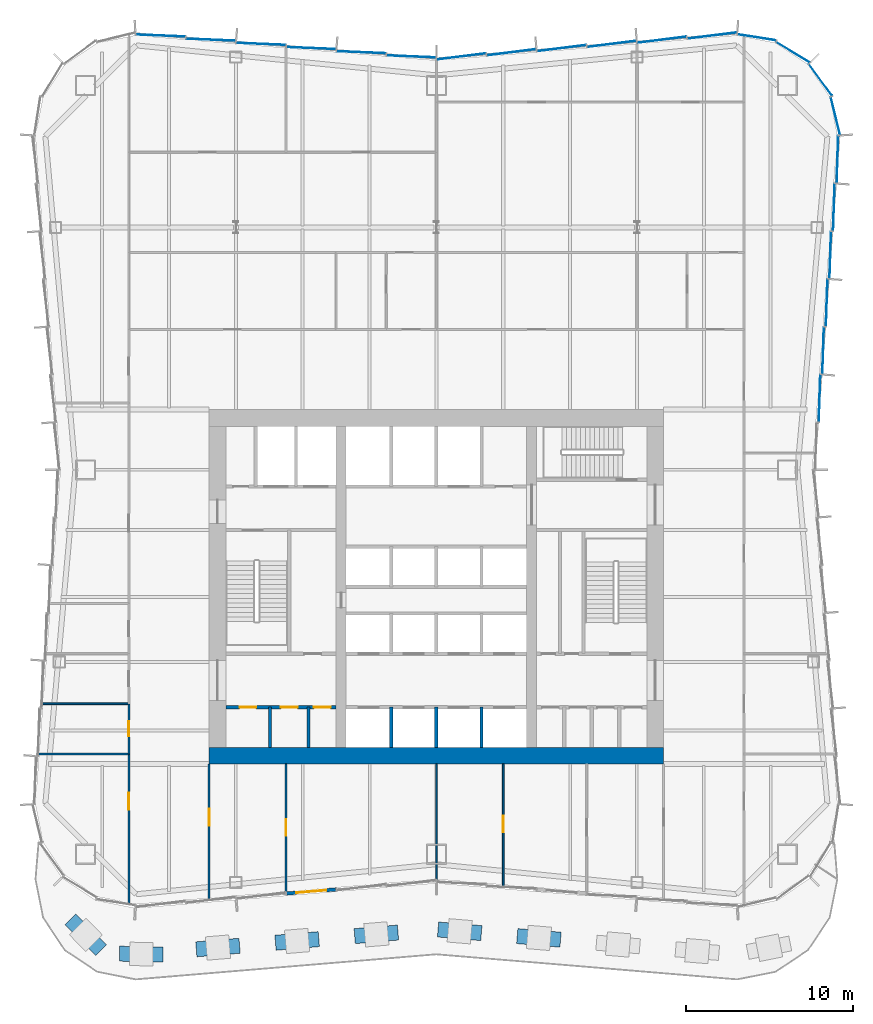
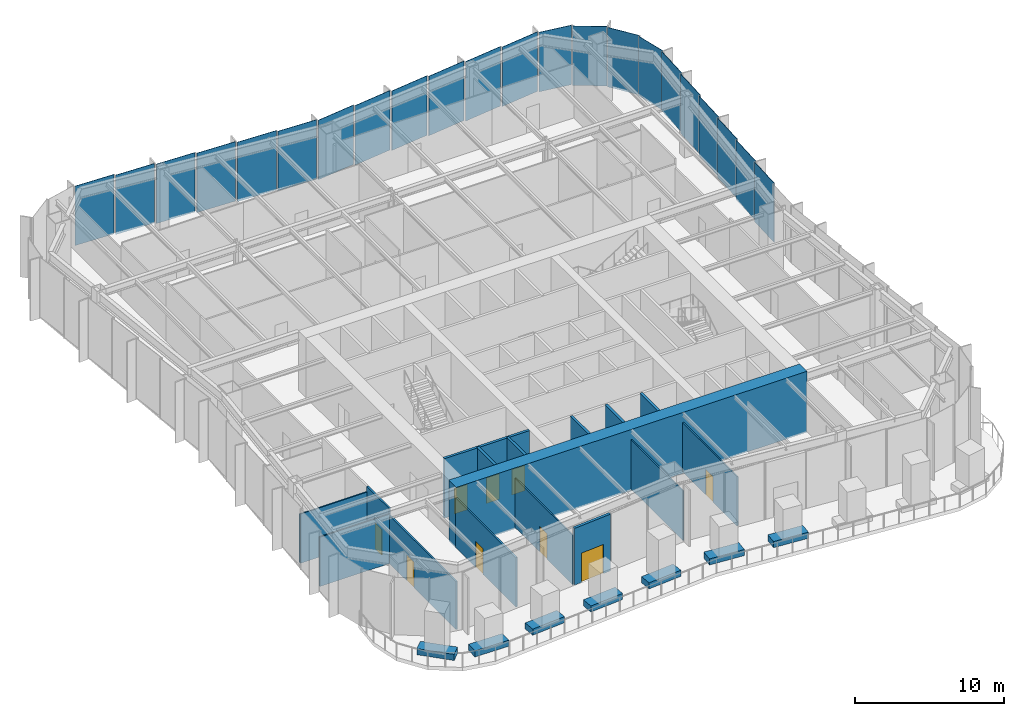
# One storey, part 8 of 15: 23 walls, 22 plates, 9 doors, 9 openings, 3 elements without a shape of their own.
"""IFC4 building model written with IfcOpenShell, lengths in metres."""

from ifc_helpers import new_model, si_unit, direction, frame, frame_2d, origin, origin_2d, place, context, subcontext, project, spatial, rectangle, extrude, material, layer, layer_set, type_object, element, fill, aggregate, save


model = new_model("IFC4")

# Units and contexts
model_context = context("Model", 3, precision=1e-05, world=origin(), true_north=direction((0.0, 1.0)))
body_context = subcontext(model_context, "Body", "Model", "MODEL_VIEW")
ifc_project = project(units=[si_unit("LENGTHUNIT", "METRE"), si_unit("AREAUNIT", "SQUARE_METRE"), si_unit("VOLUMEUNIT", "CUBIC_METRE"), si_unit("PLANEANGLEUNIT", "RADIAN"), si_unit("MASSUNIT", "GRAM", prefix="KILO")], contexts=[model_context])

# Site, building, storey
site_placement = place(None, origin())
site = spatial("IfcSite", under=ifc_project, at=site_placement, CompositionType="ELEMENT")
building_placement = place(site_placement, origin())
building = spatial("IfcBuilding", under=site, at=building_placement, Name="Verdant Reach Tower", CompositionType="ELEMENT")
storey_placement = place(building_placement, frame((0.0, 0.0, 121.0)))
storey = spatial("IfcBuildingStorey", under=building, at=storey_placement, Name="L27", CompositionType="ELEMENT", Elevation=121.0)

# Curtain wall, plates
ifc_material_1 = material(Name="Anodised aluminium", Category="aluminium")
curtain_wall_type = type_object("IfcCurtainWallType", Name="EN-CW SYSTEM Z2", PredefinedType="NOTDEFINED", material=ifc_material_1)
curtain_wall_1_placement = place(storey_placement, origin())
curtain_wall_1 = element("IfcCurtainWall", 1, at=curtain_wall_1_placement, inside=storey, type_object=curtain_wall_type, Name="Curtain wall east, L27", PredefinedType="NOTDEFINED")
ifc_material_2 = material(Name="Tinted glass with champagne spandrel", Category="glass")
ifc_layer_1 = layer(ifc_material_2, 0.031982421875)
ifc_layer_set_1 = layer_set([ifc_layer_1], Name="EN-PANEL CHAMPAGNE")
plate_type_1 = type_object("IfcPlateType", Name="EN-PANEL CHAMPAGNE", PredefinedType="CURTAIN_PANEL", material=ifc_layer_set_1)
plate_1_placement = place(storey_placement, frame((23.355712890625, 44.9921875, -0.22607421875), z_axis=(0.0, 0.0, 1.0), x_axis=(0.032965971753, 0.999456474643, 0.0)))
plate_1 = element("IfcPlate", 2, at=plate_1_placement, type_object=plate_type_1, Name="Glass panel east face part 2 4.1, L27", PredefinedType="CURTAIN_PANEL", context=body_context, shape_type="SweptSolid", body=[
    extrude(rectangle(XDim=2.80517578125, YDim=0.031982421875, at=origin_2d()), origin(), (0.0, 0.0, 1.0), 4.8759765625),
])
plate_2_placement = place(storey_placement, frame((23.570068359375, 47.84912109375, -0.22607421875), z_axis=(0.0, 0.0, 1.0), x_axis=(0.032965971753, 0.999456474643, 0.0)))
plate_2 = element("IfcPlate", 3, at=plate_2_placement, type_object=plate_type_1, Name="Glass panel east face part 2 5.1, L27", PredefinedType="CURTAIN_PANEL", context=body_context, shape_type="SweptSolid", body=[
    extrude(rectangle(XDim=2.80517578125, YDim=0.031982421875, at=origin_2d()), origin(), (0.0, 0.0, 1.0), 4.8759765625),
])
plate_3_placement = place(storey_placement, frame((23.7841796875, 50.706298828125, -0.22607421875), z_axis=(0.0, 0.0, 1.0), x_axis=(0.032965971753, 0.999456474643, 0.0)))
plate_3 = element("IfcPlate", 4, at=plate_3_placement, type_object=plate_type_1, Name="Glass panel east face part 2 6.1, L27", PredefinedType="CURTAIN_PANEL", context=body_context, shape_type="SweptSolid", body=[
    extrude(rectangle(XDim=2.80517578125, YDim=0.031982421875, at=origin_2d()), origin(), (0.0, 0.0, 1.0), 4.8759765625),
])

curtain_wall_2_placement = place(storey_placement, origin())
curtain_wall_2 = element("IfcCurtainWall", 5, at=curtain_wall_2_placement, inside=storey, type_object=curtain_wall_type, Name="Curtain wall north-east corner, L27", PredefinedType="NOTDEFINED")
plate_4_placement = place(storey_placement, frame((21.3271484375, 59.9794921875, -0.22607421875), z_axis=(0.0, 0.0, 1.0), x_axis=(-0.853988694998, 0.520291561353, 0.0)))
plate_4 = element("IfcPlate", 6, at=plate_4_placement, type_object=plate_type_1, Name="Glass panel north-east corner 3.1, L27", PredefinedType="CURTAIN_PANEL", context=body_context, shape_type="SweptSolid", body=[
    extrude(rectangle(XDim=2.322509765625, YDim=0.031982421875, at=origin_2d()), origin(), (0.0, 0.0, 1.0), 4.8759765625),
])
plate_5_placement = place(storey_placement, frame((19.17138671875, 60.87353515625, -0.22607421875), z_axis=(0.0, 0.0, 1.0), x_axis=(-0.988030887576, 0.154256167447, 0.0)))
plate_5 = element("IfcPlate", 7, at=plate_5_placement, type_object=plate_type_1, Name="Glass panel north-east corner 4.1, L27", PredefinedType="CURTAIN_PANEL", context=body_context, shape_type="SweptSolid", body=[
    extrude(rectangle(XDim=2.31640625, YDim=0.031982421875, at=origin_2d()), origin(), (0.0, 0.0, 1.0), 4.8759765625),
])

curtain_wall_3_placement = place(storey_placement, origin())
curtain_wall_3 = element("IfcCurtainWall", 8, at=curtain_wall_3_placement, inside=storey, type_object=curtain_wall_type, Name="Curtain wall north, L27", PredefinedType="NOTDEFINED")
plate_6_placement = place(storey_placement, frame((16.49853515625, 60.980712890625, -0.22607421875), z_axis=(0.0, 0.0, 1.0), x_axis=(-0.992236570309, -0.124364739946, 0.0)))
plate_6 = element("IfcPlate", 9, at=plate_6_placement, type_object=plate_type_1, Name="Glass panel north face part 1 1.1, L27", PredefinedType="CURTAIN_PANEL", context=body_context, shape_type="SweptSolid", body=[
    extrude(rectangle(XDim=2.965087890625, YDim=0.031982421875, at=origin_2d()), origin(), (0.0, 0.0, 1.0), 4.8759765625),
])
plate_7_placement = place(storey_placement, frame((13.4912109375, 60.730712890625, -0.22607421875), z_axis=(0.0, 0.0, 1.0), x_axis=(-0.992194034542, -0.124703639961, 0.0)))
plate_7 = element("IfcPlate", 10, at=plate_7_placement, type_object=plate_type_1, Name="Glass panel north face part 1 2.1, L27", PredefinedType="CURTAIN_PANEL", context=body_context, shape_type="SweptSolid", body=[
    extrude(rectangle(XDim=2.950439453125, YDim=0.031982421875, at=origin_2d()), origin(), (0.0, 0.0, 1.0), 4.8759765625),
])
plate_8_placement = place(storey_placement, frame((10.4912109375, 60.480712890625, -0.22607421875), z_axis=(0.0, 0.0, 1.0), x_axis=(-0.992194034542, -0.124703639961, 0.0)))
plate_8 = element("IfcPlate", 11, at=plate_8_placement, type_object=plate_type_1, Name="Glass panel north face part 1 3.1, L27", PredefinedType="CURTAIN_PANEL", context=body_context, shape_type="SweptSolid", body=[
    extrude(rectangle(XDim=2.950439453125, YDim=0.031982421875, at=origin_2d()), origin(), (0.0, 0.0, 1.0), 4.8759765625),
])
plate_9_placement = place(storey_placement, frame((-7.4912109375, 60.230712890625, -0.22607421875), z_axis=(0.0, 0.0, 1.0), x_axis=(-0.999149202059, 0.041241629766, 0.0)))
plate_9 = element("IfcPlate", 12, at=plate_9_placement, type_object=plate_type_1, Name="Glass panel north face part 2 3.1, L27", PredefinedType="CURTAIN_PANEL", context=body_context, shape_type="SweptSolid", body=[
    extrude(rectangle(XDim=2.950439453125, YDim=0.031982421875, at=origin_2d()), origin(), (0.0, 0.0, 1.0), 4.8759765625),
])
plate_10_placement = place(storey_placement, frame((-10.4912109375, 60.480712890625, -0.22607421875), z_axis=(0.0, 0.0, 1.0), x_axis=(-0.999149202059, 0.041241629766, 0.0)))
plate_10 = element("IfcPlate", 13, at=plate_10_placement, type_object=plate_type_1, Name="Glass panel north face part 2 4.1, L27", PredefinedType="CURTAIN_PANEL", context=body_context, shape_type="SweptSolid", body=[
    extrude(rectangle(XDim=2.950439453125, YDim=0.031982421875, at=origin_2d()), origin(), (0.0, 0.0, 1.0), 4.8759765625),
])

# Plate
ifc_material_3 = material(Name="Tinted glass with copper spandrel", Category="glass")
ifc_layer_2 = layer(ifc_material_3, 0.031982421875)
ifc_layer_set_2 = layer_set([ifc_layer_2], Name="EN-PANEL COPPER")
plate_type_2 = type_object("IfcPlateType", Name="EN-PANEL COPPER", PredefinedType="CURTAIN_PANEL", material=ifc_layer_set_2)
plate_11_placement = place(storey_placement, frame((23.99853515625, 53.57080078125, -0.22607421875), z_axis=(0.0, 0.0, 1.0), x_axis=(0.032628234484, 0.99946755741, 0.0)))
plate_11 = element("IfcPlate", 14, at=plate_11_placement, type_object=plate_type_2, Name="Glass panel east face part 2 7.1, L27", PredefinedType="CURTAIN_PANEL", context=body_context, shape_type="SweptSolid", body=[
    extrude(rectangle(XDim=2.819580078125, YDim=0.031982421875, at=origin_2d()), origin(), (0.0, 0.0, 1.0), 4.8759765625),
])

plate_12_placement = place(storey_placement, frame((7.4912109375, 60.230712890625, -0.22607421875), z_axis=(0.0, 0.0, 1.0), x_axis=(-0.992194034542, -0.124703639961, 0.0)))
plate_12 = element("IfcPlate", 15, at=plate_12_placement, type_object=plate_type_2, Name="Glass panel north face part 1 4.1, L27", PredefinedType="CURTAIN_PANEL", context=body_context, shape_type="SweptSolid", body=[
    extrude(rectangle(XDim=2.950439453125, YDim=0.031982421875, at=origin_2d()), origin(), (0.0, 0.0, 1.0), 4.8759765625),
])

plate_13_placement = place(storey_placement, frame((4.4912109375, 59.980712890625, -0.22607421875), z_axis=(0.0, 0.0, 1.0), x_axis=(-0.992194034542, -0.124703639961, 0.0)))
plate_13 = element("IfcPlate", 16, at=plate_13_placement, type_object=plate_type_2, Name="Glass panel north face part 1 5.1, L27", PredefinedType="CURTAIN_PANEL", context=body_context, shape_type="SweptSolid", body=[
    extrude(rectangle(XDim=2.950439453125, YDim=0.031982421875, at=origin_2d()), origin(), (0.0, 0.0, 1.0), 4.8759765625),
])

plate_14_placement = place(storey_placement, frame((-13.4912109375, 60.730712890625, -0.22607421875), z_axis=(0.0, 0.0, 1.0), x_axis=(-0.999149202059, 0.041241629766, 0.0)))
plate_14 = element("IfcPlate", 17, at=plate_14_placement, type_object=plate_type_2, Name="Glass panel north face part 2 5.1, L27", PredefinedType="CURTAIN_PANEL", context=body_context, shape_type="SweptSolid", body=[
    extrude(rectangle(XDim=2.950439453125, YDim=0.031982421875, at=origin_2d()), origin(), (0.0, 0.0, 1.0), 4.8759765625),
])

plate_15_placement = place(storey_placement, frame((-16.49853515625, 60.980712890625, -0.22607421875), z_axis=(0.0, 0.0, 1.0), x_axis=(-0.999163230224, 0.040900359019, 0.0)))
plate_15 = element("IfcPlate", 18, at=plate_15_placement, type_object=plate_type_2, Name="Glass panel north face part 2 6.1, L27", PredefinedType="CURTAIN_PANEL", context=body_context, shape_type="SweptSolid", body=[
    extrude(rectangle(XDim=2.965087890625, YDim=0.031982421875, at=origin_2d()), origin(), (0.0, 0.0, 1.0), 4.8759765625),
])

ifc_material_4 = material(Name="Tinted glass with dark bronze spandrel", Category="glass")
ifc_layer_3 = layer(ifc_material_4, 0.031982421875)
ifc_layer_set_3 = layer_set([ifc_layer_3], Name="EN-PANEL DARK")
plate_type_3 = type_object("IfcPlateType", Name="EN-PANEL DARK", PredefinedType="CURTAIN_PANEL", material=ifc_layer_set_3)
plate_16_placement = place(storey_placement, frame((22.92724609375, 39.27783203125, -0.22607421875), z_axis=(0.0, 0.0, 1.0), x_axis=(0.032965971753, 0.999456474643, 0.0)))
plate_16 = element("IfcPlate", 19, at=plate_16_placement, type_object=plate_type_3, Name="Glass panel east face part 2 2.1, L27", PredefinedType="CURTAIN_PANEL", context=body_context, shape_type="SweptSolid", body=[
    extrude(rectangle(XDim=2.80517578125, YDim=0.031982421875, at=origin_2d()), origin(), (0.0, 0.0, 1.0), 4.8759765625),
])

plate_17_placement = place(storey_placement, frame((23.141357421875, 42.135009765625, -0.22607421875), z_axis=(0.0, 0.0, 1.0), x_axis=(0.032965971753, 0.999456474643, 0.0)))
plate_17 = element("IfcPlate", 20, at=plate_17_placement, type_object=plate_type_3, Name="Glass panel east face part 2 3.1, L27", PredefinedType="CURTAIN_PANEL", context=body_context, shape_type="SweptSolid", body=[
    extrude(rectangle(XDim=2.80517578125, YDim=0.031982421875, at=origin_2d()), origin(), (0.0, 0.0, 1.0), 4.8759765625),
])

aggregate(curtain_wall_1, [plate_16, plate_17, plate_1, plate_2, plate_3, plate_11])

plate_18_placement = place(storey_placement, frame((23.87353515625, 56.171630859375, -0.22607421875), z_axis=(0.0, 0.0, 1.0), x_axis=(-0.236416170006, 0.971651889598, 0.0)))
plate_18 = element("IfcPlate", 21, at=plate_18_placement, type_object=plate_type_3, Name="Glass panel north-east corner 1.1, L27", PredefinedType="CURTAIN_PANEL", context=body_context, shape_type="SweptSolid", body=[
    extrude(rectangle(XDim=2.316162109375, YDim=0.031982421875, at=origin_2d()), origin(), (0.0, 0.0, 1.0), 4.8759765625),
])

plate_19_placement = place(storey_placement, frame((22.9794921875, 58.3271484375, -0.22607421875), z_axis=(0.0, 0.0, 1.0), x_axis=(-0.589926757843, 0.807456760688, 0.0)))
plate_19 = element("IfcPlate", 22, at=plate_19_placement, type_object=plate_type_3, Name="Glass panel north-east corner 2.1, L27", PredefinedType="CURTAIN_PANEL", context=body_context, shape_type="SweptSolid", body=[
    extrude(rectangle(XDim=2.322509765625, YDim=0.031982421875, at=origin_2d()), origin(), (0.0, 0.0, 1.0), 4.8759765625),
])

aggregate(curtain_wall_2, [plate_18, plate_19, plate_4, plate_5])

plate_20_placement = place(storey_placement, frame((1.49560546875, 59.730712890625, -0.22607421875), z_axis=(0.0, 0.0, 1.0), x_axis=(-0.992178815188, -0.12482467181, 0.0)))
plate_20 = element("IfcPlate", 23, at=plate_20_placement, type_object=plate_type_3, Name="Glass panel north face part 1 6.1, L27", PredefinedType="CURTAIN_PANEL", context=body_context, shape_type="SweptSolid", body=[
    extrude(rectangle(XDim=2.941650390625, YDim=0.031982421875, at=origin_2d()), origin(), (0.0, 0.0, 1.0), 4.8759765625),
])

plate_21_placement = place(storey_placement, frame((-1.49560546875, 59.730712890625, -0.22607421875), z_axis=(0.0, 0.0, 1.0), x_axis=(-0.999144163765, 0.041363510662, 0.0)))
plate_21 = element("IfcPlate", 24, at=plate_21_placement, type_object=plate_type_3, Name="Glass panel north face part 2 1.1, L27", PredefinedType="CURTAIN_PANEL", context=body_context, shape_type="SweptSolid", body=[
    extrude(rectangle(XDim=2.941650390625, YDim=0.031982421875, at=origin_2d()), origin(), (0.0, 0.0, 1.0), 4.8759765625),
])

plate_22_placement = place(storey_placement, frame((-4.4912109375, 59.980712890625, -0.22607421875), z_axis=(0.0, 0.0, 1.0), x_axis=(-0.999149202059, 0.041241629766, 0.0)))
plate_22 = element("IfcPlate", 25, at=plate_22_placement, type_object=plate_type_3, Name="Glass panel north face part 2 2.1, L27", PredefinedType="CURTAIN_PANEL", context=body_context, shape_type="SweptSolid", body=[
    extrude(rectangle(XDim=2.950439453125, YDim=0.031982421875, at=origin_2d()), origin(), (0.0, 0.0, 1.0), 4.8759765625),
])

aggregate(curtain_wall_3, [plate_6, plate_7, plate_8, plate_12, plate_13, plate_20, plate_21, plate_22, plate_9, plate_10, plate_14, plate_15])

# Wall, openings, doors
ifc_material_5 = material(Name="Gypsum board on steel studs", Category="steel")
ifc_layer_4 = layer(ifc_material_5, 0.199951171875)
ifc_layer_set_4 = layer_set([ifc_layer_4], Name="CO-WALL-ROOM")
wall_type_1 = type_object("IfcWallType", Name="CO-WALL-ROOM", PredefinedType="PARTITIONING", material=ifc_layer_set_4)
wall_1_placement = place(storey_placement, frame((-12.60009765625, 20.800048828125, 0.0), z_axis=(0.0, 0.0, 1.0), x_axis=(1.0, 0.0, 0.0)))
wall_1 = element("IfcWall", 26, at=wall_1_placement, inside=storey, type_object=wall_type_1, Name="Core partition, L27", PredefinedType="PARTITIONING", context=body_context, shape_type="SweptSolid", body=[
    extrude(rectangle(XDim=6.60009765625, YDim=0.199951171875, at=frame_2d((3.300048828125, 0.0))), origin(), (0.0, 0.0, 1.0), 4.8701171875),
])
opening_1_placement = place(wall_1_placement, frame((0.820068359375, 0.0, 0.0)))
opening_1 = element("IfcOpeningElement", 27, at=opening_1_placement, cuts=wall_1, Name="Opening CD", PredefinedType="OPENING", context=body_context, shape_type="SweptSolid", body=[
    extrude(rectangle(XDim=1.0, YDim=2.10009765625, at=frame_2d((0.5, 1.050048828125))), frame((0.0, 0.10986328125, 0.0), z_axis=(0.0, -1.0, 0.0), x_axis=(1.0, 0.0, 0.0)), (0.0, 0.0, 1.0), 0.219970703125),
])
opening_2_placement = place(wall_1_placement, frame((3.294921875, 0.0, 0.0)))
opening_2 = element("IfcOpeningElement", 28, at=opening_2_placement, cuts=wall_1, Name="Opening CD", PredefinedType="OPENING", context=body_context, shape_type="SweptSolid", body=[
    extrude(rectangle(XDim=1.0, YDim=2.10009765625, at=frame_2d((0.5, 1.050048828125))), frame((0.0, 0.10986328125, 0.0), z_axis=(0.0, -1.0, 0.0), x_axis=(1.0, 0.0, 0.0)), (0.0, 0.0, 1.0), 0.219970703125),
])
opening_3_placement = place(wall_1_placement, frame((5.27490234375, 0.0, 0.0)))
opening_3 = element("IfcOpeningElement", 29, at=opening_3_placement, cuts=wall_1, Name="Opening CD", PredefinedType="OPENING", context=body_context, shape_type="SweptSolid", body=[
    extrude(rectangle(XDim=1.0, YDim=2.10009765625, at=frame_2d((0.5, 1.050048828125))), frame((0.0, 0.10986328125, 0.0), z_axis=(0.0, -1.0, 0.0), x_axis=(1.0, 0.0, 0.0)), (0.0, 0.0, 1.0), 0.219970703125),
])
ifc_material_6 = material(Name="Timber", Category="wood")
door_type_1 = type_object("IfcDoorType", Name="CO-DOOR-ROOM", OperationType="NOTDEFINED", PredefinedType="DOOR", material=ifc_material_6)
door_1_placement = place(opening_1_placement, origin())
door_1 = element("IfcDoor", 30, at=door_1_placement, inside=storey, type_object=door_type_1, Name="Core room door, L27", OperationType="SINGLE_SWING_LEFT", OverallHeight=2.10009765625, OverallWidth=1.0, PredefinedType="DOOR", context=body_context, shape_type="SweptSolid", body=[
    extrude(rectangle(XDim=1.0, YDim=2.10009765625, at=frame_2d((0.5, 1.050048828125))), frame((0.0, 0.02490234375, 0.0), z_axis=(0.0, -1.0, 0.0), x_axis=(1.0, 0.0, 0.0)), (0.0, 0.0, 1.0), 0.050048828125),
])
fill(opening_1, door_1)
door_2_placement = place(opening_2_placement, origin())
door_2 = element("IfcDoor", 31, at=door_2_placement, inside=storey, type_object=door_type_1, Name="Core room door, L27", OperationType="SINGLE_SWING_LEFT", OverallHeight=2.10009765625, OverallWidth=1.0, PredefinedType="DOOR", context=body_context, shape_type="SweptSolid", body=[
    extrude(rectangle(XDim=1.0, YDim=2.10009765625, at=frame_2d((0.5, 1.050048828125))), frame((0.0, 0.02490234375, 0.0), z_axis=(0.0, -1.0, 0.0), x_axis=(1.0, 0.0, 0.0)), (0.0, 0.0, 1.0), 0.050048828125),
])
fill(opening_2, door_2)
door_3_placement = place(opening_3_placement, origin())
door_3 = element("IfcDoor", 32, at=door_3_placement, inside=storey, type_object=door_type_1, Name="Core room door, L27", OperationType="SINGLE_SWING_RIGHT", OverallHeight=2.10009765625, OverallWidth=1.0, PredefinedType="DOOR", context=body_context, shape_type="SweptSolid", body=[
    extrude(rectangle(XDim=1.0, YDim=2.10009765625, at=frame_2d((0.5, 1.050048828125))), frame((0.0, 0.02490234375, 0.0), z_axis=(0.0, -1.0, 0.0), x_axis=(1.0, 0.0, 0.0)), (0.0, 0.0, 1.0), 0.050048828125),
])
fill(opening_3, door_3)

# Walls
for number, where, z_axis, x_axis, name in (
    (33, (-9.9599609375, 18.39990234375, 0.0), (0.0, 0.0, 1.0), (0.0, 1.0, 0.0), "Core partition, L27"),
    (34, (-7.64990234375, 18.39990234375, 0.0), (0.0, 0.0, 1.0), (0.0, 1.0, 0.0), "Core partition, L27"),
):
    element("IfcWall", number, at=place(storey_placement, frame(where, z_axis=z_axis, x_axis=x_axis)), inside=storey, type_object=wall_type_1, Name=name, PredefinedType="PARTITIONING", context=body_context, shape_type="SweptSolid", body=[
        extrude(rectangle(XDim=2.400146484375, YDim=0.199951171875, at=frame_2d((1.2001953125, 0.0))), origin(), (0.0, 0.0, 1.0), 4.8701171875),
    ])
ifc_material_7 = material(Name="Concrete C40/50", Category="concrete")
ifc_layer_5 = layer(ifc_material_7, 0.199951171875)
ifc_layer_set_5 = layer_set([ifc_layer_5], Name="CO-WALL-SHAFT")
wall_type_2 = type_object("IfcWallType", Name="CO-WALL-SHAFT", PredefinedType="PARTITIONING", material=ifc_layer_set_5)
for number, where, z_axis, x_axis, name in (
    (35, (-2.699951171875, 18.39990234375, 0.0), (0.0, 0.0, 1.0), (0.0, 1.0, 0.0), "Lift shaft wall, L27"),
    (36, (0.0, 18.39990234375, 0.0), (0.0, 0.0, 1.0), (0.0, 1.0, 0.0), "Lift shaft wall, L27"),
    (37, (2.699951171875, 18.39990234375, 0.0), (0.0, 0.0, 1.0), (0.0, 1.0, 0.0), "Lift shaft wall, L27"),
):
    element("IfcWall", number, at=place(storey_placement, frame(where, z_axis=z_axis, x_axis=x_axis)), inside=storey, type_object=wall_type_2, Name=name, PredefinedType="PARTITIONING", context=body_context, shape_type="SweptSolid", body=[
        extrude(rectangle(XDim=2.400146484375, YDim=0.199951171875, at=frame_2d((1.2001953125, 0.0))), origin(), (0.0, 0.0, 1.0), 4.8701171875),
    ])

# Wall, opening, door
ifc_material_8 = material(Name="Insulated bronze aluminium panel wall", Category="aluminium")
ifc_layer_6 = layer(ifc_material_8, 0.219970703125)
ifc_layer_set_6 = layer_set([ifc_layer_6], Name="EN-INFILL WALL")
wall_type_3 = type_object("IfcWallType", Name="EN-INFILL WALL", PredefinedType="SOLIDWALL", material=ifc_layer_set_6)
wall_2_placement = place(storey_placement, frame((-8.959228515625, 9.64697265625, 0.0), z_axis=(0.0, 0.0, 1.0), x_axis=(0.99654690113, 0.083031764089, 0.0)))
wall_2 = element("IfcWall", 38, at=wall_2_placement, inside=storey, type_object=wall_type_3, Name="External infill wall, terrace bay 1, L27", PredefinedType="SOLIDWALL", context=body_context, shape_type="SweptSolid", body=[
    extrude(rectangle(XDim=2.9462890625, YDim=0.2119140625, at=frame_2d((1.47314453125, 0.0))), origin(), (0.0, 0.0, 1.0), 4.64990234375),
])
opening_4_placement = place(wall_2_placement, frame((0.5732421875, 0.0, 0.0)))
opening_4 = element("IfcOpeningElement", 39, at=opening_4_placement, cuts=wall_2, Name="Opening TD1-DR", PredefinedType="OPENING", context=body_context, shape_type="SweptSolid", body=[
    extrude(rectangle(XDim=1.800048828125, YDim=2.39990234375, at=frame_2d((0.89990234375, 1.199951171875))), frame((0.0, 0.115966796875, 0.0), z_axis=(0.0, -1.0, 0.0), x_axis=(1.0, 0.0, 0.0)), (0.0, 0.0, 1.0), 0.23193359375),
])
ifc_material_9 = material(Name="Aluminium framed glazed door", Category="aluminium")
door_type_2 = type_object("IfcDoorType", Name="EN-DOOR TERRACE", OperationType="DOUBLE_DOOR_SINGLE_SWING", PredefinedType="DOOR", material=ifc_material_9)
door_4_placement = place(opening_4_placement, origin())
door_4 = element("IfcDoor", 40, at=door_4_placement, inside=storey, type_object=door_type_2, Name="Terrace door 1, L27", OperationType="DOUBLE_DOOR_SINGLE_SWING", OverallHeight=2.39990234375, OverallWidth=1.800048828125, PredefinedType="DOOR", context=body_context, shape_type="SweptSolid", body=[
    extrude(rectangle(XDim=1.800048828125, YDim=2.39990234375, at=frame_2d((0.89990234375, 1.199951171875))), frame((0.0, 0.02490234375, 0.0), z_axis=(0.0, -1.0, 0.0), x_axis=(1.0, 0.0, 0.0)), (0.0, 0.0, 1.0), 0.050048828125),
])
fill(opening_4, door_4)

# Walls
ifc_material_10 = material(Name="Precast concrete C30/37", Category="concrete")
ifc_layer_7 = layer(ifc_material_10, 0.89990234375)
ifc_layer_set_7 = layer_set([ifc_layer_7], Name="EN-PLANTER TERRACE")
wall_type_4 = type_object("IfcWallType", Name="EN-PLANTER TERRACE", PredefinedType="USERDEFINED", material=ifc_layer_set_7)
wall_3_placement = place(storey_placement, frame((7.428955078125, 6.88623046875, 0.0), z_axis=(0.0, 0.0, 1.0), x_axis=(-0.996548348317, 0.083014393132, 0.0)))
element("IfcWall", 41, at=wall_3_placement, inside=storey, type_object=wall_type_4, Name="Terrace planter 4, L27", ObjectType="PLANTER", PredefinedType="USERDEFINED", context=body_context, shape_type="SweptSolid", body=[
    extrude(rectangle(XDim=2.599853515625, YDim=0.89990234375, at=frame_2d((1.2998046875, 0.0))), origin(), (0.0, 0.0, 1.0), 0.5),
])
for number, where, z_axis, x_axis, name in (
    (42, (2.690673828125, 7.281005859375, 0.0), (0.0, 0.0, 1.0), (-0.99654899538, 0.083006625075, 0.0), "Terrace planter 5, L27"),
    (43, (-2.296875, 7.313720703125, 0.0), (0.0, 0.0, 1.0), (-0.99654899538, -0.083006625075, 0.0), "Terrace planter 6, L27"),
    (44, (-7.035400390625, 6.9189453125, 0.0), (0.0, 0.0, 1.0), (-0.996541223745, -0.083099875908, 0.0), "Terrace planter 7, L27"),
    (45, (-11.77392578125, 6.52392578125, 0.0), (0.0, 0.0, 1.0), (-0.99654899538, -0.083006625075, 0.0), "Terrace planter 8, L27"),
    (46, (-16.355712890625, 6.002197265625, 0.0), (0.0, 0.0, 1.0), (-0.999830630301, 0.018404094998, 0.0), "Terrace planter 9, L27"),
    (47, (-20.058349609375, 6.2548828125, 0.0), (0.0, 0.0, 1.0), (-0.704331354941, 0.709871356266, 0.0), "Terrace planter 10, L27"),
):
    element("IfcWall", number, at=place(storey_placement, frame(where, z_axis=z_axis, x_axis=x_axis)), inside=storey, type_object=wall_type_4, Name=name, ObjectType="PLANTER", PredefinedType="USERDEFINED", context=body_context, shape_type="SweptSolid", body=[
        extrude(rectangle(XDim=2.60009765625, YDim=0.89990234375, at=frame_2d((1.300048828125, 0.0))), origin(), (0.0, 0.0, 1.0), 0.5),
    ])
ifc_layer_8 = layer(ifc_material_5, 0.10009765625)
ifc_layer_set_8 = layer_set([ifc_layer_8], Name="FL-W1 Partition 100")
wall_type_5 = type_object("IfcWallType", Name="FL-W1 Partition 100", PredefinedType="PARTITIONING", material=ifc_layer_set_8)
wall_4_placement = place(storey_placement, frame((-18.39990234375, 18.0, 0.0), z_axis=(0.0, 0.0, 1.0), x_axis=(-1.0, 0.0, 0.0)))
element("IfcWall", 48, at=wall_4_placement, inside=storey, type_object=wall_type_5, Name="Partition 27.19", PredefinedType="PARTITIONING", context=body_context, shape_type="SweptSolid", body=[
    extrude(rectangle(XDim=5.455078125, YDim=0.10009765625, at=frame_2d((2.7275390625, 0.0))), origin(), (0.0, 0.0, 1.0), 4.0400390625),
])
wall_5_placement = place(storey_placement, frame((-18.39990234375, 21.0, 0.0), z_axis=(0.0, 0.0, 1.0), x_axis=(-1.0, 0.0, 0.0)))
element("IfcWall", 49, at=wall_5_placement, inside=storey, type_object=wall_type_5, Name="Partition 27.20", PredefinedType="PARTITIONING", context=body_context, shape_type="SweptSolid", body=[
    extrude(rectangle(XDim=5.22998046875, YDim=0.10009765625, at=frame_2d((2.614990234375, 0.0))), origin(), (0.0, 0.0, 1.0), 4.0400390625),
])

# Wall, opening, door
wall_6_placement = place(storey_placement, frame((-9.0, 17.39990234375, 0.0), z_axis=(0.0, 0.0, 1.0), x_axis=(0.0, -1.0, 0.0)))
wall_6 = element("IfcWall", 50, at=wall_6_placement, inside=storey, type_object=wall_type_5, Name="Partition 27.33", PredefinedType="PARTITIONING", context=body_context, shape_type="SweptSolid", body=[
    extrude(rectangle(XDim=7.72998046875, YDim=0.10009765625, at=frame_2d((3.864990234375, 0.0))), origin(), (0.0, 0.0, 1.0), 4.0400390625),
])
opening_5_placement = place(wall_6_placement, frame((3.2998046875, 0.0, 0.0)))
opening_5 = element("IfcOpeningElement", 51, at=opening_5_placement, cuts=wall_6, Name="Opening D3", PredefinedType="OPENING", context=body_context, shape_type="SweptSolid", body=[
    extrude(rectangle(XDim=1.0, YDim=2.10009765625, at=frame_2d((0.5, 1.050048828125))), frame((0.0, 0.06005859375, 0.0), z_axis=(0.0, -1.0, 0.0), x_axis=(1.0, 0.0, 0.0)), (0.0, 0.0, 1.0), 0.1201171875),
])
ifc_material_11 = material(Name="Painted timber door leaf", Category="wood")
door_type_3 = type_object("IfcDoorType", Name="FL-D3 Door 1000x2100", OperationType="NOTDEFINED", PredefinedType="DOOR", material=ifc_material_11)
door_5_placement = place(opening_5_placement, origin())
door_5 = element("IfcDoor", 52, at=door_5_placement, inside=storey, type_object=door_type_3, Name="Door 27-017", OperationType="SINGLE_SWING_LEFT", OverallHeight=2.10009765625, OverallWidth=1.0, PredefinedType="DOOR", context=body_context, shape_type="SweptSolid", body=[
    extrude(rectangle(XDim=1.0, YDim=2.10009765625, at=frame_2d((0.5, 1.050048828125))), frame((0.0, 0.02490234375, 0.0), z_axis=(0.0, -1.0, 0.0), x_axis=(1.0, 0.0, 0.0)), (0.0, 0.0, 1.0), 0.050048828125),
])
fill(opening_5, door_5)

# Wall
wall_7_placement = place(storey_placement, frame((0.0, 10.419921875, 0.0), z_axis=(0.0, 0.0, 1.0), x_axis=(0.0, 1.0, 0.0)))
element("IfcWall", 53, at=wall_7_placement, inside=storey, type_object=wall_type_5, Name="Partition 27.34", PredefinedType="PARTITIONING", context=body_context, shape_type="SweptSolid", body=[
    extrude(rectangle(XDim=6.97998046875, YDim=0.10009765625, at=frame_2d((3.489990234375, 0.0))), origin(), (0.0, 0.0, 1.0), 4.0400390625),
])

# Wall, opening, door
wall_8_placement = place(storey_placement, frame((4.0, 10.086669921875, 0.0), z_axis=(0.0, 0.0, 1.0), x_axis=(0.0, 1.0, 0.0)))
wall_8 = element("IfcWall", 54, at=wall_8_placement, inside=storey, type_object=wall_type_5, Name="Partition 27.36", PredefinedType="PARTITIONING", context=body_context, shape_type="SweptSolid", body=[
    extrude(rectangle(XDim=7.313232421875, YDim=0.10009765625, at=frame_2d((3.65673828125, 0.0))), origin(), (0.0, 0.0, 1.0), 4.0400390625),
])
opening_6_placement = place(wall_8_placement, frame((3.2216796875, 0.0, 0.0)))
opening_6 = element("IfcOpeningElement", 55, at=opening_6_placement, cuts=wall_8, Name="Opening D3", PredefinedType="OPENING", context=body_context, shape_type="SweptSolid", body=[
    extrude(rectangle(XDim=1.0, YDim=2.10009765625, at=frame_2d((0.5, 1.050048828125))), frame((0.0, 0.06005859375, 0.0), z_axis=(0.0, -1.0, 0.0), x_axis=(1.0, 0.0, 0.0)), (0.0, 0.0, 1.0), 0.1201171875),
])
door_6_placement = place(opening_6_placement, origin())
door_6 = element("IfcDoor", 56, at=door_6_placement, inside=storey, type_object=door_type_3, Name="Door 27-019", OperationType="SINGLE_SWING_RIGHT", OverallHeight=2.10009765625, OverallWidth=1.0, PredefinedType="DOOR", context=body_context, shape_type="SweptSolid", body=[
    extrude(rectangle(XDim=1.0, YDim=2.10009765625, at=frame_2d((0.5, 1.050048828125))), frame((0.0, 0.02490234375, 0.0), z_axis=(0.0, -1.0, 0.0), x_axis=(1.0, 0.0, 0.0)), (0.0, 0.0, 1.0), 0.050048828125),
])
fill(opening_6, door_6)

ifc_material_12 = material(Name="Gypsum board on steel studs, fire rated", Category="steel")
ifc_layer_9 = layer(ifc_material_12, 0.125)
ifc_layer_set_9 = layer_set([ifc_layer_9], Name="FL-W2 Corridor wall 125")
wall_type_6 = type_object("IfcWallType", Name="FL-W2 Corridor wall 125", PredefinedType="PARTITIONING", material=ifc_layer_set_9)
wall_9_placement = place(storey_placement, frame((-18.39990234375, 8.99951171875, 0.0), z_axis=(0.0, 0.0, 1.0), x_axis=(0.0, 1.0, 0.0)))
wall_9 = element("IfcWall", 57, at=wall_9_placement, inside=storey, type_object=wall_type_6, Name="Partition 27.01", PredefinedType="PARTITIONING", context=body_context, shape_type="SweptSolid", body=[
    extrude(rectangle(XDim=9.00048828125, YDim=0.125, at=frame_2d((4.500244140625, 0.0))), origin(), (0.0, 0.0, 1.0), 3.929931640625),
])
opening_7_placement = place(wall_9_placement, frame((5.665771484375, 0.0, 0.0)))
opening_7 = element("IfcOpeningElement", 58, at=opening_7_placement, cuts=wall_9, Name="Opening D2", PredefinedType="OPENING", context=body_context, shape_type="SweptSolid", body=[
    extrude(rectangle(XDim=1.0, YDim=2.10009765625, at=frame_2d((0.5, 1.050048828125))), frame((0.0, 0.072509765625, 0.0), z_axis=(0.0, -1.0, 0.0), x_axis=(1.0, 0.0, 0.0)), (0.0, 0.0, 1.0), 0.14501953125),
])
ifc_material_13 = material(Name="Timber door leaf, fire rated", Category="wood")
door_type_4 = type_object("IfcDoorType", Name="FL-D2 Entrance door 1000x2100 FD30", OperationType="NOTDEFINED", PredefinedType="DOOR", material=ifc_material_13)
door_7_placement = place(opening_7_placement, origin())
door_7 = element("IfcDoor", 59, at=door_7_placement, inside=storey, type_object=door_type_4, Name="Door 27-001", OperationType="SINGLE_SWING_RIGHT", OverallHeight=2.10009765625, OverallWidth=1.0, PredefinedType="DOOR", context=body_context, shape_type="SweptSolid", body=[
    extrude(rectangle(XDim=1.0, YDim=2.10009765625, at=frame_2d((0.5, 1.050048828125))), frame((0.0, 0.02490234375, 0.0), z_axis=(0.0, -1.0, 0.0), x_axis=(1.0, 0.0, 0.0)), (0.0, 0.0, 1.0), 0.050048828125),
])
fill(opening_7, door_7)

wall_10_placement = place(storey_placement, frame((-18.39990234375, 18.0, 0.0), z_axis=(0.0, 0.0, 1.0), x_axis=(0.0, 1.0, 0.0)))
wall_10 = element("IfcWall", 60, at=wall_10_placement, inside=storey, type_object=wall_type_6, Name="Partition 27.02", PredefinedType="PARTITIONING", context=body_context, shape_type="SweptSolid", body=[
    extrude(rectangle(XDim=3.0, YDim=0.125, at=frame_2d((1.5, 0.0))), origin(), (0.0, 0.0, 1.0), 4.47998046875),
])
opening_8_placement = place(wall_10_placement, frame((1.050048828125, 0.0, 0.0)))
opening_8 = element("IfcOpeningElement", 61, at=opening_8_placement, cuts=wall_10, Name="Opening D1", PredefinedType="OPENING", context=body_context, shape_type="SweptSolid", body=[
    extrude(rectangle(XDim=0.89990234375, YDim=2.10009765625, at=frame_2d((0.449951171875, 1.050048828125))), frame((0.0, 0.072509765625, 0.0), z_axis=(0.0, -1.0, 0.0), x_axis=(1.0, 0.0, 0.0)), (0.0, 0.0, 1.0), 0.14501953125),
])
door_type_5 = type_object("IfcDoorType", Name="FL-D1 Door 900x2100", OperationType="NOTDEFINED", PredefinedType="DOOR", material=ifc_material_11)
door_8_placement = place(opening_8_placement, origin())
door_8 = element("IfcDoor", 62, at=door_8_placement, inside=storey, type_object=door_type_5, Name="Door 27-002", OperationType="SINGLE_SWING_RIGHT", OverallHeight=2.10009765625, OverallWidth=0.89990234375, PredefinedType="DOOR", context=body_context, shape_type="SweptSolid", body=[
    extrude(rectangle(XDim=0.89990234375, YDim=2.10009765625, at=frame_2d((0.449951171875, 1.050048828125))), frame((0.0, 0.02490234375, 0.0), z_axis=(0.0, -1.0, 0.0), x_axis=(1.0, 0.0, 0.0)), (0.0, 0.0, 1.0), 0.050048828125),
])
fill(opening_8, door_8)

wall_11_placement = place(storey_placement, frame((-13.60009765625, 17.39990234375, 0.0), z_axis=(0.0, 0.0, 1.0), x_axis=(0.0, -1.0, 0.0)))
wall_11 = element("IfcWall", 63, at=wall_11_placement, inside=storey, type_object=wall_type_6, Name="Partition 27.11", PredefinedType="PARTITIONING", context=body_context, shape_type="SweptSolid", body=[
    extrude(rectangle(XDim=8.11328125, YDim=0.125, at=frame_2d((4.056640625, 0.0))), origin(), (0.0, 0.0, 1.0), 4.0400390625),
])
opening_9_placement = place(wall_11_placement, frame((2.691650390625, 0.0, 0.0)))
opening_9 = element("IfcOpeningElement", 64, at=opening_9_placement, cuts=wall_11, Name="Opening D2", PredefinedType="OPENING", context=body_context, shape_type="SweptSolid", body=[
    extrude(rectangle(XDim=1.0, YDim=2.10009765625, at=frame_2d((0.5, 1.050048828125))), frame((0.0, 0.072509765625, 0.0), z_axis=(0.0, -1.0, 0.0), x_axis=(1.0, 0.0, 0.0)), (0.0, 0.0, 1.0), 0.14501953125),
])
door_9_placement = place(opening_9_placement, origin())
door_9 = element("IfcDoor", 65, at=door_9_placement, inside=storey, type_object=door_type_4, Name="Door 27-011", OperationType="SINGLE_SWING_LEFT", OverallHeight=2.10009765625, OverallWidth=1.0, PredefinedType="DOOR", context=body_context, shape_type="SweptSolid", body=[
    extrude(rectangle(XDim=1.0, YDim=2.10009765625, at=frame_2d((0.5, 1.050048828125))), frame((0.0, 0.02490234375, 0.0), z_axis=(0.0, -1.0, 0.0), x_axis=(1.0, 0.0, 0.0)), (0.0, 0.0, 1.0), 0.050048828125),
])
fill(opening_9, door_9)

# Wall
ifc_material_14 = material(Name="Concrete C70/85", Category="concrete")
ifc_layer_10 = layer(ifc_material_14, 1.0)
ifc_layer_set_10 = layer_set([ifc_layer_10], Name="ST-CORE-WALL-1000")
wall_type_7 = type_object("IfcWallType", Name="ST-CORE-WALL-1000", PredefinedType="SHEAR", material=ifc_layer_set_10)
wall_12_placement = place(storey_placement, frame((-13.60009765625, 17.89990234375, -0.1298828125), z_axis=(0.0, 0.0, 1.0), x_axis=(1.0, 0.0, 0.0)))
element("IfcWall", 66, at=wall_12_placement, inside=storey, type_object=wall_type_7, Name="Core wall S, L27", PredefinedType="SHEAR", context=body_context, shape_type="SweptSolid", body=[
    extrude(rectangle(XDim=27.2001953125, YDim=1.0, at=frame_2d((13.60009765625, 0.0))), origin(), (0.0, 0.0, 1.0), 5.0),
])

save(model, "model.ifc")
